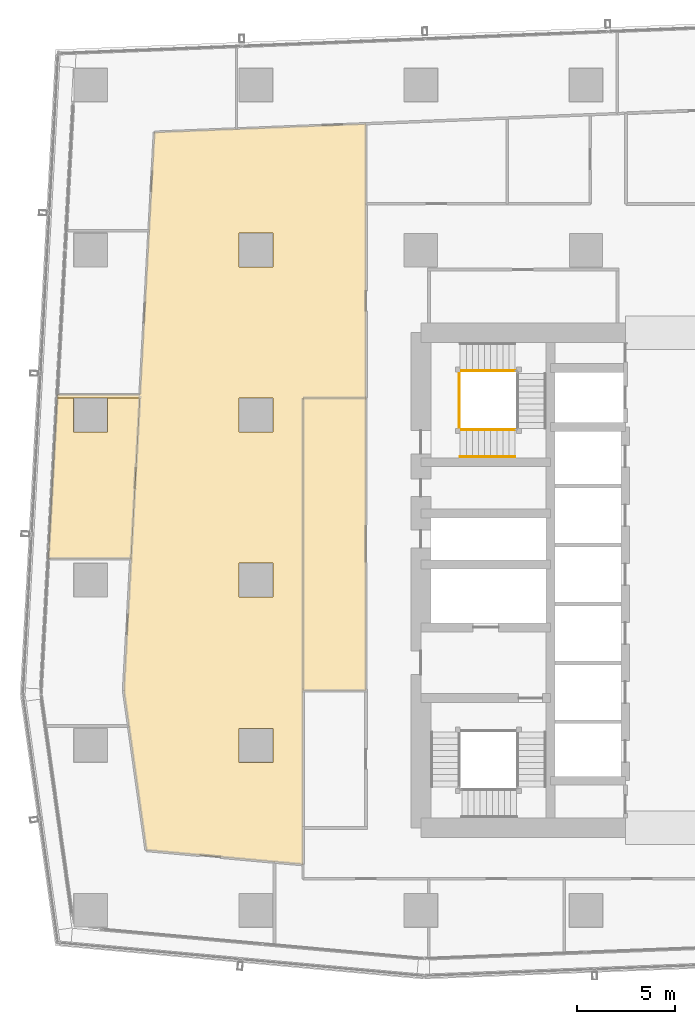
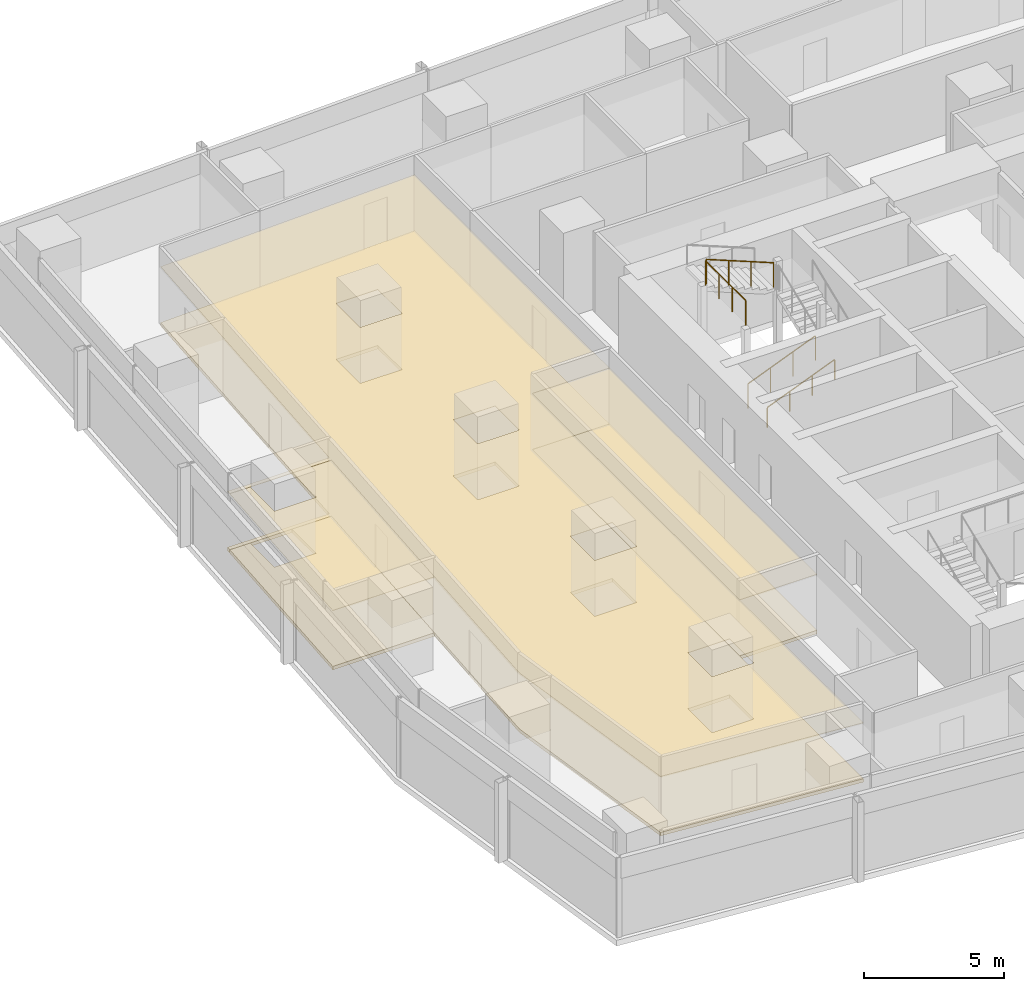
# One storey, part 35 of 40: 6 coverings, 4 railings.
"""IFC4 building model written with IfcOpenShell, lengths in metres."""

from ifc_helpers import new_model, si_unit, direction, frame, origin, origin_2d, place, context, subcontext, project, spatial, polyline, circle, outline, extrude, material, layer, layer_set, type_object, element, save


model = new_model("IFC4")

# Units and contexts
model_context = context("Model", 3, precision=1e-05, world=origin(), true_north=direction((0.0, 1.0)))
body_context = subcontext(model_context, "Body", "Model", "MODEL_VIEW")
ifc_project = project(units=[si_unit("LENGTHUNIT", "METRE"), si_unit("AREAUNIT", "SQUARE_METRE"), si_unit("VOLUMEUNIT", "CUBIC_METRE"), si_unit("PLANEANGLEUNIT", "RADIAN"), si_unit("MASSUNIT", "GRAM", prefix="KILO")], contexts=[model_context])

# Site, building, storey
site_placement = place(None, origin())
site = spatial("IfcSite", under=ifc_project, at=site_placement, CompositionType="ELEMENT")
building_placement = place(site_placement, origin())
building = spatial("IfcBuilding", under=site, at=building_placement, Name="Rekha Terrace Tower", CompositionType="ELEMENT")
storey_placement = place(building_placement, frame((0.0, 0.0, 129.050048828125)))
storey = spatial("IfcBuildingStorey", under=building, at=storey_placement, Name="L32", CompositionType="ELEMENT", Elevation=129.050048828125)

# Coverings
ifc_material_1 = material(Name="Mineral fibre tile in exposed grid", Category="finish")
ifc_layer_1 = layer(ifc_material_1, 0.02001953125)
ifc_layer_set_1 = layer_set([ifc_layer_1], Name="Mineral fibre tile in exposed grid")
covering_type_1 = type_object("IfcCoveringType", Name="CL1 600x1200 office grid ceiling", PredefinedType="CEILING", material=ifc_layer_set_1)
covering_1_placement = place(storey_placement, frame((0.0, 0.0, 2.579833984375)))
element("IfcCovering", 1, at=covering_1_placement, inside=storey, type_object=covering_type_1, Name="Ceiling L32-O2b", PredefinedType="CEILING", context=body_context, shape_type="SweptSolid", body=[
    extrude(outline(polyline([(10.080078125, 27.992919921875), (10.3359375, 26.177001953125), (11.22607421875, 19.862060546875), (17.7529296875, 19.26904296875), (19.199951171875, 19.137939453125), (19.199951171875, 42.873046875), (22.39990234375, 42.873046875), (22.39990234375, 56.830078125), (15.799072265625, 56.56494140625), (11.637939453125, 56.39794921875), (11.362060546875, 51.3779296875), (10.905029296875, 43.0458984375), (6.698974609375, 43.0458984375), (6.68994140625, 42.873046875), (10.89599609375, 42.873046875), (10.448974609375, 34.7109375), (10.080078125, 27.992919921875)]), holes=[polyline([(17.6650390625, 26.06494140625), (17.6650390625, 24.3349609375), (15.93505859375, 24.3349609375), (15.93505859375, 26.06494140625), (17.6650390625, 26.06494140625)]), polyline([(17.6650390625, 34.465087890625), (17.6650390625, 32.735107421875), (15.93505859375, 32.735107421875), (15.93505859375, 34.465087890625), (17.6650390625, 34.465087890625)]), polyline([(17.6650390625, 41.135009765625), (15.93505859375, 41.135009765625), (15.93505859375, 42.864990234375), (17.6650390625, 42.864990234375), (17.6650390625, 41.135009765625)]), polyline([(17.6650390625, 49.534912109375), (15.93505859375, 49.534912109375), (15.93505859375, 51.264892578125), (17.6650390625, 51.264892578125), (17.6650390625, 49.534912109375)])]), origin(), (0.0, 0.0, 1.0), 0.02001953125),
])
covering_2_placement = place(storey_placement, frame((0.0, 0.0, 2.579833984375)))
element("IfcCovering", 2, at=covering_2_placement, inside=storey, type_object=covering_type_1, Name="Ceiling L32-14", PredefinedType="CEILING", context=body_context, shape_type="SweptSolid", body=[
    extrude(outline(polyline([(9.264892578125, 41.135009765625), (7.534912109375, 41.135009765625), (7.534912109375, 42.8720703125), (6.68994140625, 42.8720703125), (6.241943359375, 34.7119140625), (10.448974609375, 34.7119140625), (10.89599609375, 42.8720703125), (9.264892578125, 42.8720703125), (9.264892578125, 41.135009765625)])), origin(), (0.0, 0.0, 1.0), 0.02001953125),
])
covering_3_placement = place(storey_placement, frame((0.0, 0.0, 2.579833984375)))
element("IfcCovering", 3, at=covering_3_placement, inside=storey, type_object=covering_type_1, Name="Ceiling L32-20", PredefinedType="CEILING", context=body_context, shape_type="SweptSolid", body=[
    extrude(outline(polyline([(19.199951171875, 42.8720703125), (19.199951171875, 28.0), (22.39990234375, 28.0), (22.39990234375, 42.8720703125), (19.199951171875, 42.8720703125)])), origin(), (0.0, 0.0, 1.0), 0.02001953125),
])

# Railings
ifc_material_2 = material(Name="Stainless steel balustrade", Category="steel")
railing_type_1 = type_object("IfcRailingType", Name="GR1 1100 stair guard", PredefinedType="GUARDRAIL", material=ifc_material_2)
railing_1_placement = place(storey_placement, frame((27.199951171875, 41.264892578125, 0.125)))
element("IfcRailing", 4, at=railing_1_placement, inside=storey, type_object=railing_type_1, Name="Guard ST4 L32 flight 1", PredefinedType="GUARDRAIL", context=body_context, shape_type="SweptSolid", body=[
    extrude(circle(Radius=0.02392578125, at=origin_2d()), frame((0.0, 0.0, 1.076171875), z_axis=(0.927443287984, 0.0, 0.373963831907), x_axis=(0.0, 1.0, 0.0)), (0.0, 0.0, 1.0), 3.00830078125),
    extrude(circle(Radius=0.02099609375, at=origin_2d()), origin(), (0.0, 0.0, 1.0), 1.052001953125),
    extrude(circle(Radius=0.02099609375, at=origin_2d()), frame((0.929931640625, 0.0, 0.375)), (0.0, 0.0, 1.0), 1.052001953125),
    extrude(circle(Radius=0.02099609375, at=origin_2d()), frame((1.860107421875, 0.0, 0.75)), (0.0, 0.0, 1.0), 1.052001953125),
    extrude(circle(Radius=0.02099609375, at=origin_2d()), frame((2.7900390625, 0.0, 1.125)), (0.0, 0.0, 1.0), 1.052001953125),
])
railing_2_placement = place(storey_placement, frame((29.989990234375, 44.260009765625, 2.625)))
element("IfcRailing", 5, at=railing_2_placement, inside=storey, type_object=railing_type_1, Name="Guard ST4 L32 flight 3", PredefinedType="GUARDRAIL", context=body_context, shape_type="SweptSolid", body=[
    extrude(circle(Radius=0.02392578125, at=origin_2d()), frame((0.0, 0.0, 1.076171875), z_axis=(-0.927443287984, 0.0, 0.373963831907), x_axis=(0.0, -1.0, 0.0)), (0.0, 0.0, 1.0), 3.00830078125),
    extrude(circle(Radius=0.02099609375, at=origin_2d()), origin(), (0.0, 0.0, 1.0), 1.052001953125),
    extrude(circle(Radius=0.02099609375, at=origin_2d()), frame((-0.929931640625, 0.0, 0.375)), (0.0, 0.0, 1.0), 1.052001953125),
    extrude(circle(Radius=0.02099609375, at=origin_2d()), frame((-1.860107421875, 0.0, 0.75)), (0.0, 0.0, 1.0), 1.052001953125),
    extrude(circle(Radius=0.02099609375, at=origin_2d()), frame((-2.7900390625, 0.0, 1.125)), (0.0, 0.0, 1.0), 1.052001953125),
])
railing_3_placement = place(storey_placement, frame((27.139892578125, 41.324951171875, 3.75)))
element("IfcRailing", 6, at=railing_3_placement, inside=storey, type_object=railing_type_1, Name="Guard ST4 L32 landing 4", PredefinedType="GUARDRAIL", context=body_context, shape_type="SweptSolid", body=[
    extrude(circle(Radius=0.02392578125, at=origin_2d()), frame((0.0, 0.0, 1.076171875), z_axis=(0.0, 1.0, 0.0), x_axis=(-1.0, 0.0, 0.0)), (0.0, 0.0, 1.0), 2.875),
    extrude(circle(Radius=0.02099609375, at=origin_2d()), origin(), (0.0, 0.0, 1.0), 1.052001953125),
    extrude(circle(Radius=0.02099609375, at=origin_2d()), frame((0.0, 0.958251953125, 0.0)), (0.0, 0.0, 1.0), 1.052001953125),
    extrude(circle(Radius=0.02099609375, at=origin_2d()), frame((0.0, 1.916748046875, 0.0)), (0.0, 0.0, 1.0), 1.052001953125),
    extrude(circle(Radius=0.02099609375, at=origin_2d()), frame((0.0, 2.875, 0.0)), (0.0, 0.0, 1.0), 1.052001953125),
])
ifc_material_3 = material(Name="Stainless steel tube", Category="steel")
railing_type_2 = type_object("IfcRailingType", Name="HR1 900 stair handrail", PredefinedType="HANDRAIL", material=ifc_material_3)
railing_4_placement = place(storey_placement, frame((27.199951171875, 39.885009765625, 0.125)))
element("IfcRailing", 7, at=railing_4_placement, inside=storey, type_object=railing_type_2, Name="Handrail ST4 L32 flight 1", PredefinedType="HANDRAIL", context=body_context, shape_type="SweptSolid", body=[
    extrude(circle(Radius=0.02392578125, at=origin_2d()), frame((0.0, 0.0, 0.8759765625), z_axis=(0.927443287984, 0.0, 0.373963831907), x_axis=(0.0, 1.0, 0.0)), (0.0, 0.0, 1.0), 3.00830078125),
    extrude(circle(Radius=0.02099609375, at=origin_2d()), origin(), (0.0, 0.0, 1.0), 0.851806640625),
    extrude(circle(Radius=0.02099609375, at=origin_2d()), frame((0.929931640625, 0.0, 0.375)), (0.0, 0.0, 1.0), 0.851806640625),
    extrude(circle(Radius=0.02099609375, at=origin_2d()), frame((1.860107421875, 0.0, 0.75)), (0.0, 0.0, 1.0), 0.851806640625),
    extrude(circle(Radius=0.02099609375, at=origin_2d()), frame((2.7900390625, 0.0, 1.125)), (0.0, 0.0, 1.0), 0.851806640625),
])

# Coverings
ifc_material_4 = material(Name="Calcium sulphate panels on steel pedestals", Category="steel")
ifc_layer_2 = layer(ifc_material_4, 0.14990234375)
ifc_layer_set_2 = layer_set([ifc_layer_2], Name="Calcium sulphate panels on steel pedestals")
covering_type_2 = type_object("IfcCoveringType", Name="RF1 150 raised access floor", PredefinedType="FLOORING", material=ifc_layer_set_2)
covering_4_placement = place(storey_placement, origin())
element("IfcCovering", 8, at=covering_4_placement, inside=storey, type_object=covering_type_2, Name="Raised floor L32-O2b", PredefinedType="FLOORING", context=body_context, shape_type="SweptSolid", body=[
    extrude(outline(polyline([(10.080078125, 27.992919921875), (10.3359375, 26.177001953125), (11.22607421875, 19.862060546875), (17.7529296875, 19.26904296875), (19.199951171875, 19.137939453125), (19.199951171875, 42.873046875), (22.39990234375, 42.873046875), (22.39990234375, 56.830078125), (15.799072265625, 56.56494140625), (11.637939453125, 56.39794921875), (11.362060546875, 51.3779296875), (10.905029296875, 43.0458984375), (6.698974609375, 43.0458984375), (6.68994140625, 42.873046875), (10.89599609375, 42.873046875), (10.448974609375, 34.7109375), (10.080078125, 27.992919921875)]), holes=[polyline([(17.6650390625, 26.06494140625), (17.6650390625, 24.3349609375), (15.93505859375, 24.3349609375), (15.93505859375, 26.06494140625), (17.6650390625, 26.06494140625)]), polyline([(17.6650390625, 34.465087890625), (17.6650390625, 32.735107421875), (15.93505859375, 32.735107421875), (15.93505859375, 34.465087890625), (17.6650390625, 34.465087890625)]), polyline([(17.6650390625, 41.135009765625), (15.93505859375, 41.135009765625), (15.93505859375, 42.864990234375), (17.6650390625, 42.864990234375), (17.6650390625, 41.135009765625)]), polyline([(17.6650390625, 49.534912109375), (15.93505859375, 49.534912109375), (15.93505859375, 51.264892578125), (17.6650390625, 51.264892578125), (17.6650390625, 49.534912109375)])]), origin(), (0.0, 0.0, 1.0), 0.14990234375),
])
covering_5_placement = place(storey_placement, origin())
element("IfcCovering", 9, at=covering_5_placement, inside=storey, type_object=covering_type_2, Name="Raised floor L32-14", PredefinedType="FLOORING", context=body_context, shape_type="SweptSolid", body=[
    extrude(outline(polyline([(9.264892578125, 41.135009765625), (7.534912109375, 41.135009765625), (7.534912109375, 42.8720703125), (6.68994140625, 42.8720703125), (6.241943359375, 34.7119140625), (10.448974609375, 34.7119140625), (10.89599609375, 42.8720703125), (9.264892578125, 42.8720703125), (9.264892578125, 41.135009765625)])), origin(), (0.0, 0.0, 1.0), 0.14990234375),
])
covering_6_placement = place(storey_placement, origin())
element("IfcCovering", 10, at=covering_6_placement, inside=storey, type_object=covering_type_2, Name="Raised floor L32-20", PredefinedType="FLOORING", context=body_context, shape_type="SweptSolid", body=[
    extrude(outline(polyline([(19.199951171875, 42.8720703125), (19.199951171875, 28.0), (22.39990234375, 28.0), (22.39990234375, 42.8720703125), (19.199951171875, 42.8720703125)])), origin(), (0.0, 0.0, 1.0), 0.14990234375),
])

save(model, "model.ifc")
